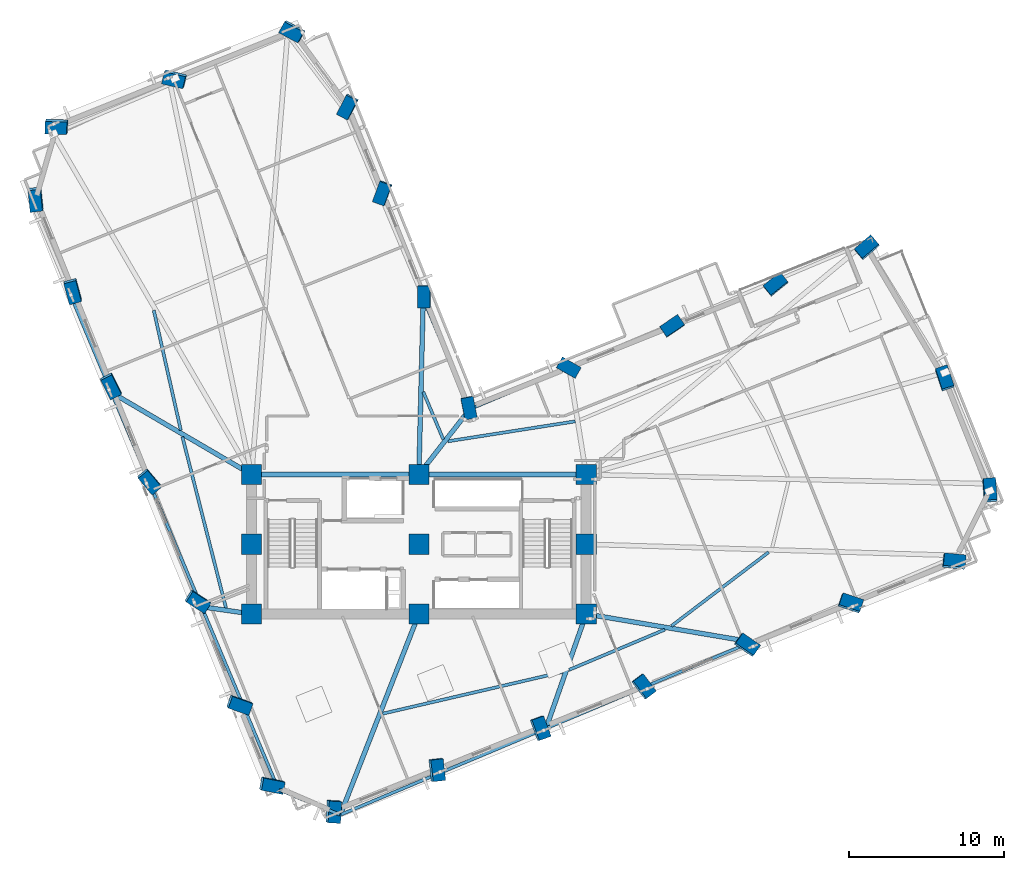
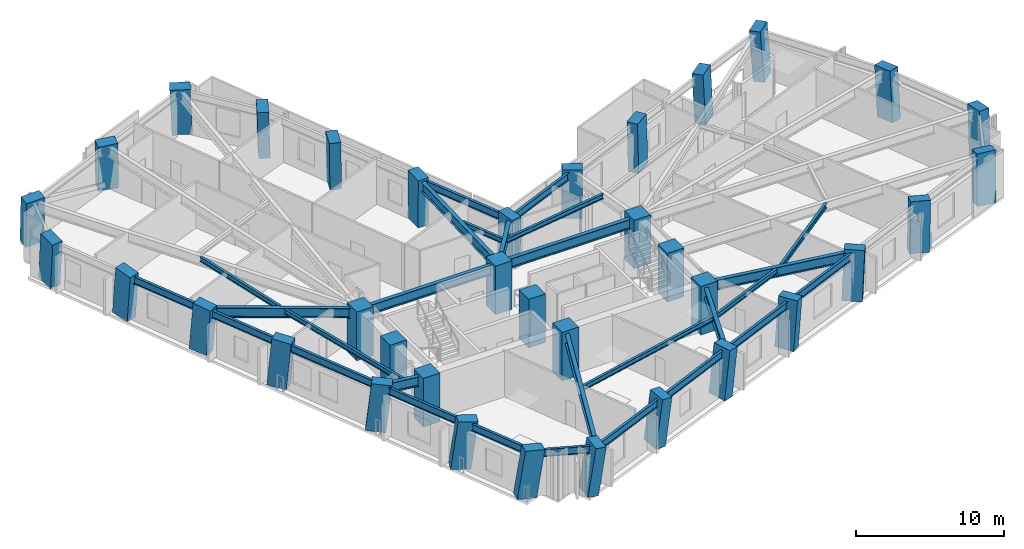
# One storey, part 1 of 16: 36 columns, 28 beams.
"""IFC4 building model written with IfcOpenShell, lengths in metres."""

from ifc_helpers import new_model, si_unit, direction, frame, origin, origin_2d, place, context, subcontext, project, spatial, rectangle, i_section, extrude, material, material_profile, profile_set, type_object, element, save


model = new_model("IFC4")

# Units and contexts
model_context = context("Model", 3, precision=1e-05, world=origin(), true_north=direction((0.0, 1.0)))
body_context = subcontext(model_context, "Body", "Model", "MODEL_VIEW")
ifc_project = project(units=[si_unit("LENGTHUNIT", "METRE"), si_unit("AREAUNIT", "SQUARE_METRE"), si_unit("VOLUMEUNIT", "CUBIC_METRE"), si_unit("PLANEANGLEUNIT", "RADIAN"), si_unit("MASSUNIT", "GRAM", prefix="KILO")], contexts=[model_context])

# Site, building, storey
site_placement = place(None, origin())
site = spatial("IfcSite", under=ifc_project, at=site_placement, CompositionType="ELEMENT")
building_placement = place(site_placement, origin())
building = spatial("IfcBuilding", under=site, at=building_placement, Name="Gaonmaruhae Medical Tower", CompositionType="ELEMENT")
storey_placement = place(building_placement, frame((0.0, 0.0, 116.39990234375)))
storey = spatial("IfcBuildingStorey", under=building, at=storey_placement, Name="L27", CompositionType="ELEMENT", Elevation=116.39990234375)

# Columns
ifc_material_1 = material(Name="Concrete C60/75", Category="concrete")
ifc_material_profile_1 = material_profile(ifc_material_1, rectangle(XDim=1.300048828125, YDim=1.300048828125, at=origin_2d()), Name="RC-1300x1300")
ifc_profile_set_1 = profile_set([ifc_material_profile_1], Name="Concrete C60/75")
column_type_1 = type_object("IfcColumnType", Name="CC-03 Zone 2 Core Column (RC-1300x1300)", PredefinedType="COLUMN", material=ifc_profile_set_1)
for number, where, z_axis, x_axis, name in (
    (1, (14.0, 7.800048828125, 0.0), (0.0, 0.0, 1.0), (1.0, 0.0, 0.0), "L27 Plumb Core Column CC11"),
    (2, (14.0, 12.300048828125, 0.0), (0.0, 0.0, 1.0), (1.0, 0.0, 0.0), "L27 Plumb Core Column CC12"),
    (3, (14.0, 16.800048828125, 0.0), (0.0, 0.0, 1.0), (1.0, 0.0, 0.0), "L27 Plumb Core Column CC13"),
    (4, (24.800048828125, 7.800048828125, 0.0), (0.0, 0.0, 1.0), (1.0, 0.0, 0.0), "L27 Plumb Core Column CC21"),
    (5, (24.800048828125, 12.300048828125, 0.0), (0.0, 0.0, 1.0), (1.0, 0.0, 0.0), "L27 Plumb Core Column CC22"),
    (6, (24.800048828125, 16.800048828125, 0.0), (0.0, 0.0, 1.0), (1.0, 0.0, 0.0), "L27 Plumb Core Column CC23"),
    (7, (35.60009765625, 7.800048828125, 0.0), (0.0, 0.0, 1.0), (1.0, 0.0, 0.0), "L27 Plumb Core Column CC31"),
    (8, (35.60009765625, 12.300048828125, 0.0), (0.0, 0.0, 1.0), (1.0, 0.0, 0.0), "L27 Plumb Core Column CC32"),
    (9, (35.60009765625, 16.800048828125, 0.0), (0.0, 0.0, 1.0), (1.0, 0.0, 0.0), "L27 Plumb Core Column CC33"),
):
    element("IfcColumn", number, at=place(storey_placement, frame(where, z_axis=z_axis, x_axis=x_axis)), inside=storey, type_object=column_type_1, Name=name, PredefinedType="COLUMN", context=body_context, shape_type="SweptSolid", body=[
        extrude(rectangle(XDim=1.300048828125, YDim=1.300048828125, at=origin_2d()), origin(), (0.0, 0.0, 1.0), 4.0),
    ])
ifc_material_profile_2 = material_profile(ifc_material_1, rectangle(XDim=1.39990234375, YDim=0.800048828125, at=origin_2d()), Name="RC-1400x800")
ifc_profile_set_2 = profile_set([ifc_material_profile_2], Name="Concrete C60/75")
column_type_2 = type_object("IfcColumnType", Name="TC-02 Mid Raking Tube Pier Column (RC-1400x800)", PredefinedType="COLUMN", material=ifc_profile_set_2)
column_1_placement = place(storey_placement, frame((19.234130859375, -4.932861328125, 0.001953125), z_axis=(0.122566982492, -0.057984774927, 0.990764906867), x_axis=(0.06360142307, 0.996698674835, 0.050463953129)))
element("IfcColumn", 10, at=column_1_placement, inside=storey, type_object=column_type_2, Name="L27 Perimeter Tube Column S01", PredefinedType="COLUMN", context=body_context, shape_type="SweptSolid", body=[
    extrude(rectangle(XDim=1.39990234375, YDim=0.800048828125, at=origin_2d()), origin(), (0.0, 0.0, 1.0), 4.03369140625),
])
column_2_placement = place(storey_placement, frame((25.916748046875, -2.253173828125, 0.001953125), z_axis=(0.111651431593, -0.030704143688, 0.993272980295), x_axis=(-0.110333945067, 0.992959759181, 0.043096835303)))
element("IfcColumn", 11, at=column_2_placement, inside=storey, type_object=column_type_2, Name="L27 Perimeter Tube Column S02", PredefinedType="COLUMN", context=body_context, shape_type="SweptSolid", body=[
    extrude(rectangle(XDim=1.39990234375, YDim=0.800048828125, at=origin_2d()), origin(), (0.0, 0.0, 1.0), 4.0234375),
])
column_3_placement = place(storey_placement, frame((32.599609375, 0.426513671875, 0.001953125), z_axis=(0.100532198644, -0.003282187864, 0.994928391533), x_axis=(-0.339806628296, 0.939749975264, 0.037435803156)))
element("IfcColumn", 12, at=column_3_placement, inside=storey, type_object=column_type_2, Name="L27 Perimeter Tube Column S03", PredefinedType="COLUMN", context=body_context, shape_type="SweptSolid", body=[
    extrude(rectangle(XDim=1.39990234375, YDim=0.800048828125, at=origin_2d()), origin(), (0.0, 0.0, 1.0), 4.0166015625),
])
column_4_placement = place(storey_placement, frame((39.2822265625, 3.1064453125, 0.001953125), z_axis=(0.089357523849, 0.024149038099, 0.995706812717), x_axis=(-0.599896462323, 0.799335620141, 0.034449976294)))
element("IfcColumn", 13, at=column_4_placement, inside=storey, type_object=column_type_2, Name="L27 Perimeter Tube Column S04", PredefinedType="COLUMN", context=body_context, shape_type="SweptSolid", body=[
    extrude(rectangle(XDim=1.39990234375, YDim=0.800048828125, at=origin_2d()), origin(), (0.0, 0.0, 1.0), 4.013671875),
])
column_5_placement = place(storey_placement, frame((45.965087890625, 5.7861328125, 0.001953125), z_axis=(0.078035956114, 0.051638758177, 0.995612288096), x_axis=(-0.821217291899, 0.569551828945, 0.034826335313)))
element("IfcColumn", 14, at=column_5_placement, inside=storey, type_object=column_type_2, Name="L27 Perimeter Tube Column S05", PredefinedType="COLUMN", context=body_context, shape_type="SweptSolid", body=[
    extrude(rectangle(XDim=1.39990234375, YDim=0.800048828125, at=origin_2d()), origin(), (0.0, 0.0, 1.0), 4.013916015625),
])
column_6_placement = place(storey_placement, frame((52.647705078125, 8.4658203125, 0.001953125), z_axis=(0.066717836338, 0.079113499919, 0.99463047633), x_axis=(-0.948183509475, 0.31537991624, 0.038516759879)))
element("IfcColumn", 15, at=column_6_placement, inside=storey, type_object=column_type_2, Name="L27 Perimeter Tube Column S06", PredefinedType="COLUMN", context=body_context, shape_type="SweptSolid", body=[
    extrude(rectangle(XDim=1.39990234375, YDim=0.800048828125, at=origin_2d()), origin(), (0.0, 0.0, 1.0), 4.017822265625),
])
column_7_placement = place(storey_placement, frame((59.33056640625, 11.1455078125, 0.001953125), z_axis=(0.055313130163, 0.106380734984, 0.992785775913), x_axis=(-0.993950581944, 0.100353737632, 0.044624746467)))
element("IfcColumn", 16, at=column_7_placement, inside=storey, type_object=column_type_2, Name="L27 Perimeter Tube Column S07", PredefinedType="COLUMN", context=body_context, shape_type="SweptSolid", body=[
    extrude(rectangle(XDim=1.39990234375, YDim=0.800048828125, at=origin_2d()), origin(), (0.0, 0.0, 1.0), 4.025390625),
])
column_8_placement = place(storey_placement, frame((61.638427734375, 15.734130859375, 0.001953125), z_axis=(0.036384047559, 0.115701271238, 0.992617457492), x_axis=(0.07866044201, -0.990524915986, 0.112574089712)))
element("IfcColumn", 17, at=column_8_placement, inside=storey, type_object=column_type_2, Name="L27 Perimeter Tube Column E01", PredefinedType="COLUMN", context=body_context, shape_type="SweptSolid", body=[
    extrude(rectangle(XDim=1.39990234375, YDim=0.800048828125, at=origin_2d()), origin(), (0.0, 0.0, 1.0), 4.026123046875),
])
column_9_placement = place(storey_placement, frame((58.7353515625, 22.973876953125, 0.001953125), z_axis=(0.006683668158, 0.103657617076, 0.994590582603), x_axis=(0.312007498998, -0.945175264526, 0.096410787244)))
element("IfcColumn", 18, at=column_9_placement, inside=storey, type_object=column_type_2, Name="L27 Perimeter Tube Column E02", PredefinedType="COLUMN", context=body_context, shape_type="SweptSolid", body=[
    extrude(rectangle(XDim=1.39990234375, YDim=0.800048828125, at=origin_2d()), origin(), (0.0, 0.0, 1.0), 4.01806640625),
])
column_10_placement = place(storey_placement, frame((53.73291015625, 31.418701171875, 0.001953125), z_axis=(-0.027994148358, 0.082887021878, 0.99616568364), x_axis=(-0.760728692831, -0.648252775362, 0.032560637873)))
element("IfcColumn", 19, at=column_10_placement, inside=storey, type_object=column_type_2, Name="L27 Perimeter Tube Column E03", PredefinedType="COLUMN", context=body_context, shape_type="SweptSolid", body=[
    extrude(rectangle(XDim=1.39990234375, YDim=0.800048828125, at=origin_2d()), origin(), (0.0, 0.0, 1.0), 4.01171875),
])
column_11_placement = place(storey_placement, frame((47.839111328125, 29.055419921875, 0.001953125), z_axis=(-0.018048809142, 0.058719605418, 0.998111340697), x_axis=(-0.778054912845, -0.627780077744, 0.022863214654)))
element("IfcColumn", 20, at=column_11_placement, inside=storey, type_object=column_type_2, Name="L27 Perimeter Tube Column EN01", PredefinedType="COLUMN", context=body_context, shape_type="SweptSolid", body=[
    extrude(rectangle(XDim=1.39990234375, YDim=0.800048828125, at=origin_2d()), origin(), (0.0, 0.0, 1.0), 4.00390625),
])
column_12_placement = place(storey_placement, frame((41.156494140625, 26.37548828125, 0.001953125), z_axis=(-0.006777640232, 0.031262628818, 0.999488224859), x_axis=(-0.828274350802, -0.560196266994, 0.011905555365)))
element("IfcColumn", 21, at=column_12_placement, inside=storey, type_object=column_type_2, Name="L27 Perimeter Tube Column EN02", PredefinedType="COLUMN", context=body_context, shape_type="SweptSolid", body=[
    extrude(rectangle(XDim=1.39990234375, YDim=0.800048828125, at=origin_2d()), origin(), (0.0, 0.0, 1.0), 3.998291015625),
])
column_13_placement = place(storey_placement, frame((34.4736328125, 23.69580078125, 0.001953125), z_axis=(0.004581752639, 0.003665402111, 0.999982786037), x_axis=(-0.870434976609, 0.492278562101, 0.002183756462)))
element("IfcColumn", 22, at=column_13_placement, inside=storey, type_object=column_type_2, Name="L27 Perimeter Tube Column EN03", PredefinedType="COLUMN", context=body_context, shape_type="SweptSolid", body=[
    extrude(rectangle(XDim=1.39990234375, YDim=0.800048828125, at=origin_2d()), origin(), (0.0, 0.0, 1.0), 3.996337890625),
])
column_14_placement = place(storey_placement, frame((28.02294921875, 21.109130859375, 0.001953125), z_axis=(0.015511177692, -0.022961428395, 0.999616014364), x_axis=(-0.188731248776, 0.981698205068, 0.025478420325)))
element("IfcColumn", 23, at=column_14_placement, inside=storey, type_object=column_type_2, Name="L27 Perimeter Tube Column KN01", PredefinedType="COLUMN", context=body_context, shape_type="SweptSolid", body=[
    extrude(rectangle(XDim=1.39990234375, YDim=0.800048828125, at=origin_2d()), origin(), (0.0, 0.0, 1.0), 3.997802734375),
])
column_15_placement = place(storey_placement, frame((25.138671875, 28.302490234375, 0.001953125), z_axis=(-0.014223979667, -0.035163142868, 0.99928035695), x_axis=(0.002786671308, 0.999376185068, 0.035206181014)))
element("IfcColumn", 24, at=column_15_placement, inside=storey, type_object=column_type_2, Name="L27 Perimeter Tube Column NE01", PredefinedType="COLUMN", context=body_context, shape_type="SweptSolid", body=[
    extrude(rectangle(XDim=1.39990234375, YDim=0.800048828125, at=origin_2d()), origin(), (0.0, 0.0, 1.0), 3.999267578125),
])
column_16_placement = place(storey_placement, frame((22.458740234375, 34.985107421875, 0.001953125), z_axis=(-0.041704903016, -0.046399753209, 0.998051984601), x_axis=(0.342446994742, 0.93775101087, 0.057905935835)))
element("IfcColumn", 25, at=column_16_placement, inside=storey, type_object=column_type_2, Name="L27 Perimeter Tube Column NE02", PredefinedType="COLUMN", context=body_context, shape_type="SweptSolid", body=[
    extrude(rectangle(XDim=1.39990234375, YDim=0.800048828125, at=origin_2d()), origin(), (0.0, 0.0, 1.0), 4.004150390625),
])
column_17_placement = place(storey_placement, frame((20.225830078125, 40.55419921875, 0.001953125), z_axis=(-0.06464168981, -0.055815847039, 0.996346346989), x_axis=(0.456711371128, 0.886076237962, 0.079269313113)))
element("IfcColumn", 26, at=column_17_placement, inside=storey, type_object=column_type_2, Name="L27 Perimeter Tube Column NE03", PredefinedType="COLUMN", context=body_context, shape_type="SweptSolid", body=[
    extrude(rectangle(XDim=1.39990234375, YDim=0.800048828125, at=origin_2d()), origin(), (0.0, 0.0, 1.0), 4.010986328125),
])
column_18_placement = place(storey_placement, frame((16.65625, 45.425537109375, 0.001953125), z_axis=(-0.084401583793, -0.070496574665, 0.993934910149), x_axis=(0.878913471383, -0.475222028152, 0.040928398225)))
element("IfcColumn", 27, at=column_18_placement, inside=storey, type_object=column_type_2, Name="L27 Perimeter Tube Column N01", PredefinedType="COLUMN", context=body_context, shape_type="SweptSolid", body=[
    extrude(rectangle(XDim=1.39990234375, YDim=0.800048828125, at=origin_2d()), origin(), (0.0, 0.0, 1.0), 4.020751953125),
])
column_19_placement = place(storey_placement, frame((9.04541015625, 42.37353515625, 0.001953125), z_axis=(-0.071468567795, -0.101595690945, 0.992255289428), x_axis=(0.971621225937, -0.231980521435, 0.04623019558)))
element("IfcColumn", 28, at=column_19_placement, inside=storey, type_object=column_type_2, Name="L27 Perimeter Tube Column N02", PredefinedType="COLUMN", context=body_context, shape_type="SweptSolid", body=[
    extrude(rectangle(XDim=1.39990234375, YDim=0.800048828125, at=origin_2d()), origin(), (0.0, 0.0, 1.0), 4.027587890625),
])
column_20_placement = place(storey_placement, frame((1.434326171875, 39.32177734375, 0.001953125), z_axis=(-0.058452778116, -0.132440575855, 0.989465899664), x_axis=(0.997829351184, -0.037863766631, 0.0538787629)))
element("IfcColumn", 29, at=column_20_placement, inside=storey, type_object=column_type_2, Name="L27 Perimeter Tube Column N03", PredefinedType="COLUMN", context=body_context, shape_type="SweptSolid", body=[
    extrude(rectangle(XDim=1.39990234375, YDim=0.800048828125, at=origin_2d()), origin(), (0.0, 0.0, 1.0), 4.038818359375),
])
column_21_placement = place(storey_placement, frame((0.082763671875, 34.6318359375, 0.001953125), z_axis=(-0.039178405028, -0.137849943616, 0.989677950459), x_axis=(-0.106874967089, 0.985334956087, 0.1330141561)))
element("IfcColumn", 30, at=column_21_placement, inside=storey, type_object=column_type_2, Name="L27 Perimeter Tube Column W01", PredefinedType="COLUMN", context=body_context, shape_type="SweptSolid", body=[
    extrude(rectangle(XDim=1.39990234375, YDim=0.800048828125, at=origin_2d()), origin(), (0.0, 0.0, 1.0), 4.0380859375),
])
column_22_placement = place(storey_placement, frame((2.46484375, 28.691650390625, 0.001953125), z_axis=(-0.014963421755, -0.128128085071, 0.991644739726), x_axis=(-0.262901665614, 0.957364620069, 0.119731777142)))
element("IfcColumn", 31, at=column_22_placement, inside=storey, type_object=column_type_2, Name="L27 Perimeter Tube Column W02", PredefinedType="COLUMN", context=body_context, shape_type="SweptSolid", body=[
    extrude(rectangle(XDim=1.39990234375, YDim=0.800048828125, at=origin_2d()), origin(), (0.0, 0.0, 1.0), 4.030029296875),
])
column_23_placement = place(storey_placement, frame((4.921142578125, 22.565673828125, 0.001953125), z_axis=(0.010191079334, -0.117986007762, 0.992962961985), x_axis=(-0.450108088675, 0.886183267608, 0.109917808931)))
element("IfcColumn", 32, at=column_23_placement, inside=storey, type_object=column_type_2, Name="L27 Perimeter Tube Column W03", PredefinedType="COLUMN", context=body_context, shape_type="SweptSolid", body=[
    extrude(rectangle(XDim=1.39990234375, YDim=0.800048828125, at=origin_2d()), origin(), (0.0, 0.0, 1.0), 4.024658203125),
])
column_24_placement = place(storey_placement, frame((7.396240234375, 16.3935546875, 0.001953125), z_axis=(0.035507833365, -0.107676745966, 0.993551665565), x_axis=(-0.642258011043, 0.759230004832, 0.105235198548)))
element("IfcColumn", 33, at=column_24_placement, inside=storey, type_object=column_type_2, Name="L27 Perimeter Tube Column W04", PredefinedType="COLUMN", context=body_context, shape_type="SweptSolid", body=[
    extrude(rectangle(XDim=1.39990234375, YDim=0.800048828125, at=origin_2d()), origin(), (0.0, 0.0, 1.0), 4.022216796875),
])
column_25_placement = place(storey_placement, frame((10.504150390625, 8.643310546875, 0.001953125), z_axis=(0.067292325848, -0.094536919452, 0.993244438063), x_axis=(-0.837814695487, 0.535225411219, 0.107704666624)))
element("IfcColumn", 34, at=column_25_placement, inside=storey, type_object=column_type_2, Name="L27 Perimeter Tube Column W05", PredefinedType="COLUMN", context=body_context, shape_type="SweptSolid", body=[
    extrude(rectangle(XDim=1.39990234375, YDim=0.800048828125, at=origin_2d()), origin(), (0.0, 0.0, 1.0), 4.0234375),
])
column_26_placement = place(storey_placement, frame((13.183837890625, 1.96044921875, 0.001953125), z_axis=(0.094603755743, -0.083149489352, 0.99203643674), x_axis=(-0.937304977557, 0.328318526805, 0.116903053867)))
element("IfcColumn", 35, at=column_26_placement, inside=storey, type_object=column_type_2, Name="L27 Perimeter Tube Column W06", PredefinedType="COLUMN", context=body_context, shape_type="SweptSolid", body=[
    extrude(rectangle(XDim=1.39990234375, YDim=0.800048828125, at=origin_2d()), origin(), (0.0, 0.0, 1.0), 4.0283203125),
])
column_27_placement = place(storey_placement, frame((15.26806640625, -3.237060546875, 0.001953125), z_axis=(0.115696644975, -0.074307259429, 0.990501245601), x_axis=(-0.974669078482, 0.183662391907, 0.127625676298)))
element("IfcColumn", 36, at=column_27_placement, inside=storey, type_object=column_type_2, Name="L27 Perimeter Tube Column W07", PredefinedType="COLUMN", context=body_context, shape_type="SweptSolid", body=[
    extrude(rectangle(XDim=1.39990234375, YDim=0.800048828125, at=origin_2d()), origin(), (0.0, 0.0, 1.0), 4.03466796875),
])

# Beams
ifc_material_2 = material(Name="Steel SM355", Category="steel")
ifc_material_profile_3 = material_profile(ifc_material_2, i_section(OverallWidth=0.199951171875, OverallDepth=0.39990234375, WebThickness=0.008056640625, FlangeThickness=0.012939453125, FilletRadius=0.012939453125, at=origin_2d()), Name="H-400x200x8x13")
ifc_profile_set_3 = profile_set([ifc_material_profile_3], Name="Steel SM355")
beam_type_1 = type_object("IfcBeamType", Name="FJ-01 Lower Zone Ward Floor Joist (H-400x200x8x13)", PredefinedType="JOIST", material=ifc_profile_set_3)
beam_1_placement = place(storey_placement, frame((22.447265625, 1.35888671875, 3.580078125), z_axis=(0.974172384193, 0.225805593099, 0.0), x_axis=(-0.225805593099, 0.974172384193, 0.0)))
element("IfcBeam", 37, at=beam_1_placement, inside=storey, type_object=beam_type_1, Name="L27 Secondary Floor Joist FJ01", PredefinedType="JOIST", context=body_context, shape_type="SweptSolid", body=[
    extrude(i_section(OverallWidth=0.199951171875, OverallDepth=0.39990234375, WebThickness=0.008056640625, FlangeThickness=0.012939453125, FilletRadius=0.012939453125, at=origin_2d()), origin(), (0.0, 0.0, 1.0), 11.985107421875),
])
beam_2_placement = place(storey_placement, frame((34.493896484375, 4.1875, 3.580078125), z_axis=(0.921857271842, 0.387529573519, 0.0), x_axis=(-0.387529573519, 0.921857271842, 0.0)))
element("IfcBeam", 38, at=beam_2_placement, inside=storey, type_object=beam_type_1, Name="L27 Secondary Floor Joist FJ02", PredefinedType="JOIST", context=body_context, shape_type="SweptSolid", body=[
    extrude(i_section(OverallWidth=0.199951171875, OverallDepth=0.39990234375, WebThickness=0.008056640625, FlangeThickness=0.012939453125, FilletRadius=0.012939453125, at=origin_2d()), origin(), (0.0, 0.0, 1.0), 6.70556640625),
])
beam_3_placement = place(storey_placement, frame((41.10791015625, 7.02490234375, 3.580078125), z_axis=(0.796408170889, 0.604759477264, 0.0), x_axis=(-0.604759477264, 0.796408170889, 0.0)))
element("IfcBeam", 39, at=beam_3_placement, inside=storey, type_object=beam_type_1, Name="L27 Secondary Floor Joist FJ03", PredefinedType="JOIST", context=body_context, shape_type="SweptSolid", body=[
    extrude(i_section(OverallWidth=0.199951171875, OverallDepth=0.39990234375, WebThickness=0.008056640625, FlangeThickness=0.012939453125, FilletRadius=0.012939453125, at=origin_2d()), origin(), (0.0, 0.0, 1.0), 7.877685546875),
])
beam_4_placement = place(storey_placement, frame((34.891845703125, 20.231201171875, 3.580078125), z_axis=(-0.987967972908, -0.154658606318, 0.0), x_axis=(0.154658606318, -0.987967972908, 0.0)))
element("IfcBeam", 40, at=beam_4_placement, inside=storey, type_object=beam_type_1, Name="L27 Secondary Floor Joist FJ08", PredefinedType="JOIST", context=body_context, shape_type="SweptSolid", body=[
    extrude(i_section(OverallWidth=0.199951171875, OverallDepth=0.39990234375, WebThickness=0.008056640625, FlangeThickness=0.012939453125, FilletRadius=0.012939453125, at=origin_2d()), origin(), (0.0, 0.0, 1.0), 8.326904296875),
])
beam_5_placement = place(storey_placement, frame((26.37353515625, 19.07275390625, 3.580078125), z_axis=(-0.387512067628, 0.921864630758, 0.0), x_axis=(-0.921864630758, -0.387512067628, 0.0)))
element("IfcBeam", 41, at=beam_5_placement, inside=storey, type_object=beam_type_1, Name="L27 Secondary Floor Joist FJ09", PredefinedType="JOIST", context=body_context, shape_type="SweptSolid", body=[
    extrude(i_section(OverallWidth=0.199951171875, OverallDepth=0.39990234375, WebThickness=0.008056640625, FlangeThickness=0.012939453125, FilletRadius=0.012939453125, at=origin_2d()), origin(), (0.0, 0.0, 1.0), 3.3251953125),
])
beam_6_placement = place(storey_placement, frame((7.687255859375, 27.40234375, 3.580078125), z_axis=(0.219912851779, -0.975519521907, 0.0), x_axis=(0.975519521907, 0.219912851779, 0.0)))
element("IfcBeam", 42, at=beam_6_placement, inside=storey, type_object=beam_type_1, Name="L27 Secondary Floor Joist FJ13", PredefinedType="JOIST", context=body_context, shape_type="SweptSolid", body=[
    extrude(i_section(OverallWidth=0.199951171875, OverallDepth=0.39990234375, WebThickness=0.008056640625, FlangeThickness=0.012939453125, FilletRadius=0.012939453125, at=origin_2d()), origin(), (0.0, 0.0, 1.0), 7.945556640625),
])
beam_7_placement = place(storey_placement, frame((9.53466796875, 19.2353515625, 3.580078125), z_axis=(0.246753559156, -0.969078263632, 0.0), x_axis=(0.969078263632, 0.246753559156, 0.0)))
element("IfcBeam", 43, at=beam_7_placement, inside=storey, type_object=beam_type_1, Name="L27 Secondary Floor Joist FJ14", PredefinedType="JOIST", context=body_context, shape_type="SweptSolid", body=[
    extrude(i_section(OverallWidth=0.199951171875, OverallDepth=0.39990234375, WebThickness=0.008056640625, FlangeThickness=0.012939453125, FilletRadius=0.012939453125, at=origin_2d()), origin(), (0.0, 0.0, 1.0), 11.39306640625),
])
ifc_material_3 = material(Name="Steel SM420", Category="steel")
ifc_material_profile_4 = material_profile(ifc_material_3, i_section(OverallWidth=0.300048828125, OverallDepth=0.800048828125, WebThickness=0.013916015625, FlangeThickness=0.02587890625, FilletRadius=0.01806640625, at=origin_2d()), Name="H-800x300x14x26")
ifc_profile_set_4 = profile_set([ifc_material_profile_4], Name="Steel SM420")
beam_type_2 = type_object("IfcBeamType", Name="PG-02 Zone 2 Radial Floor Girder (H-800x300x14x26)", PredefinedType="BEAM", material=ifc_profile_set_4)
for number, where, z_axis, x_axis, name in (
    (44, (14.050048828125, 16.800048828125, 3.380126953125), (1.0, 0.0, 0.0), (0.0, 1.0, 0.0), "L27 Beam BM-L27-CG-N1"),
    (45, (24.85009765625, 16.800048828125, 3.380126953125), (1.0, 0.0, 0.0), (0.0, 1.0, 0.0), "L27 Beam BM-L27-CG-N2"),
):
    element("IfcBeam", number, at=place(storey_placement, frame(where, z_axis=z_axis, x_axis=x_axis)), inside=storey, type_object=beam_type_2, Name=name, PredefinedType="BEAM", context=body_context, shape_type="SweptSolid", body=[
        extrude(i_section(OverallWidth=0.300048828125, OverallDepth=0.800048828125, WebThickness=0.013916015625, FlangeThickness=0.02587890625, FilletRadius=0.01806640625, at=origin_2d()), origin(), (0.0, 0.0, 1.0), 10.699951171875),
    ])
beam_8_placement = place(storey_placement, frame((24.78173828125, 7.75341796875, 3.380126953125), z_axis=(-0.364217542957, -0.931313900574, 0.0), x_axis=(0.931313900574, -0.364217542957, 0.0)))
element("IfcBeam", 46, at=beam_8_placement, inside=storey, type_object=beam_type_2, Name="L27 Radial Primary Girder S01", PredefinedType="BEAM", context=body_context, shape_type="SweptSolid", body=[
    extrude(i_section(OverallWidth=0.300048828125, OverallDepth=0.800048828125, WebThickness=0.013916015625, FlangeThickness=0.02587890625, FilletRadius=0.01806640625, at=origin_2d()), origin(), (0.0, 0.0, 1.0), 13.8232421875),
])
beam_9_placement = place(storey_placement, frame((35.58349609375, 7.7529296875, 3.380126953125), z_axis=(-0.331602246079, -0.943419286635, 0.0), x_axis=(0.943419286635, -0.331602246079, 0.0)))
element("IfcBeam", 47, at=beam_9_placement, inside=storey, type_object=beam_type_2, Name="L27 Radial Primary Girder S03", PredefinedType="BEAM", context=body_context, shape_type="SweptSolid", body=[
    extrude(i_section(OverallWidth=0.300048828125, OverallDepth=0.800048828125, WebThickness=0.013916015625, FlangeThickness=0.02587890625, FilletRadius=0.01806640625, at=origin_2d()), origin(), (0.0, 0.0, 1.0), 7.729736328125),
])
beam_10_placement = place(storey_placement, frame((35.6494140625, 7.791748046875, 3.380126953125), z_axis=(0.985990040776, -0.166804195065, 0.0), x_axis=(0.166804195065, 0.985990040776, 0.0)))
element("IfcBeam", 48, at=beam_10_placement, inside=storey, type_object=beam_type_2, Name="L27 Radial Primary Girder S05", PredefinedType="BEAM", context=body_context, shape_type="SweptSolid", body=[
    extrude(i_section(OverallWidth=0.300048828125, OverallDepth=0.800048828125, WebThickness=0.013916015625, FlangeThickness=0.02587890625, FilletRadius=0.01806640625, at=origin_2d()), origin(), (0.0, 0.0, 1.0), 10.72998046875),
])
beam_11_placement = place(storey_placement, frame((24.830810546875, 16.83935546875, 3.380126953125), z_axis=(0.614488224062, 0.788925993037, 0.0), x_axis=(-0.788925993037, 0.614488224062, 0.0)))
element("IfcBeam", 49, at=beam_11_placement, inside=storey, type_object=beam_type_2, Name="L27 Radial Primary Girder KN01", PredefinedType="BEAM", context=body_context, shape_type="SweptSolid", body=[
    extrude(i_section(OverallWidth=0.300048828125, OverallDepth=0.800048828125, WebThickness=0.013916015625, FlangeThickness=0.02587890625, FilletRadius=0.01806640625, at=origin_2d()), origin(), (0.0, 0.0, 1.0), 5.24560546875),
])
beam_12_placement = place(storey_placement, frame((24.80126953125, 16.85009765625, 3.380126953125), z_axis=(0.024792931486, 0.999692608029, 0.0), x_axis=(-0.999692608029, 0.024792931486, 0.0)))
element("IfcBeam", 50, at=beam_12_placement, inside=storey, type_object=beam_type_2, Name="L27 Radial Primary Girder NE01", PredefinedType="BEAM", context=body_context, shape_type="SweptSolid", body=[
    extrude(i_section(OverallWidth=0.300048828125, OverallDepth=0.800048828125, WebThickness=0.013916015625, FlangeThickness=0.02587890625, FilletRadius=0.01806640625, at=origin_2d()), origin(), (0.0, 0.0, 1.0), 11.26513671875),
])
beam_13_placement = place(storey_placement, frame((13.956787109375, 16.8251953125, 3.380126953125), z_axis=(-0.862998450556, 0.505206566009, 0.0), x_axis=(-0.505206566009, -0.862998450556, 0.0)))
element("IfcBeam", 51, at=beam_13_placement, inside=storey, type_object=beam_type_2, Name="L27 Radial Primary Girder W03", PredefinedType="BEAM", context=body_context, shape_type="SweptSolid", body=[
    extrude(i_section(OverallWidth=0.300048828125, OverallDepth=0.800048828125, WebThickness=0.013916015625, FlangeThickness=0.02587890625, FilletRadius=0.01806640625, at=origin_2d()), origin(), (0.0, 0.0, 1.0), 10.37255859375),
])
beam_14_placement = place(storey_placement, frame((13.950439453125, 7.80712890625, 3.380126953125), z_axis=(-0.989864274798, 0.142016609872, 0.0), x_axis=(-0.142016609872, -0.989864274798, 0.0)))
element("IfcBeam", 52, at=beam_14_placement, inside=storey, type_object=beam_type_2, Name="L27 Radial Primary Girder W05", PredefinedType="BEAM", context=body_context, shape_type="SweptSolid", body=[
    extrude(i_section(OverallWidth=0.300048828125, OverallDepth=0.800048828125, WebThickness=0.013916015625, FlangeThickness=0.02587890625, FilletRadius=0.01806640625, at=origin_2d()), origin(), (0.0, 0.0, 1.0), 3.157958984375),
])
ifc_material_profile_5 = material_profile(ifc_material_2, i_section(OverallWidth=0.199951171875, OverallDepth=0.60009765625, WebThickness=0.010986328125, FlangeThickness=0.01708984375, FilletRadius=0.012939453125, at=origin_2d()), Name="H-600x200x11x17")
ifc_profile_set_5 = profile_set([ifc_material_profile_5], Name="Steel SM355")
beam_type_3 = type_object("IfcBeamType", Name="SP-01 Lower Perimeter Spandrel Beam (H-600x200x11x17)", PredefinedType="SPANDREL", material=ifc_profile_set_5)
for number, where, z_axis, x_axis, name in (
    (53, (19.765625, -5.1513671875, 3.47998046875), (0.921868214975, 0.387503540912, 0.0), (-0.387503540912, 0.921868214975, 0.0), "L27 Perimeter Spandrel Beam S01-S02"),
    (54, (26.403076171875, -2.361328125, 3.47998046875), (0.921855965601, 0.387532680797, 0.0), (-0.387532680797, 0.921855965601, 0.0), "L27 Perimeter Spandrel Beam S02-S03"),
    (55, (33.04052734375, 0.428955078125, 3.47998046875), (0.921868214975, 0.387503540912, 0.0), (-0.387503540912, 0.921868214975, 0.0), "L27 Perimeter Spandrel Beam S03-S04"),
):
    element("IfcBeam", number, at=place(storey_placement, frame(where, z_axis=z_axis, x_axis=x_axis)), inside=storey, type_object=beam_type_3, Name=name, PredefinedType="SPANDREL", context=body_context, shape_type="SweptSolid", body=[
        extrude(i_section(OverallWidth=0.199951171875, OverallDepth=0.60009765625, WebThickness=0.010986328125, FlangeThickness=0.01708984375, FilletRadius=0.012939453125, at=origin_2d()), origin(), (0.0, 0.0, 1.0), 7.1201171875),
    ])
beam_15_placement = place(storey_placement, frame((39.677978515625, 3.218994140625, 3.47998046875), z_axis=(0.921863065881, 0.387515790341, 0.0), x_axis=(-0.387515790341, 0.921863065881, 0.0)))
element("IfcBeam", 56, at=beam_15_placement, inside=storey, type_object=beam_type_3, Name="L27 Perimeter Spandrel Beam S04-S05", PredefinedType="SPANDREL", context=body_context, shape_type="SweptSolid", body=[
    extrude(i_section(OverallWidth=0.199951171875, OverallDepth=0.60009765625, WebThickness=0.010986328125, FlangeThickness=0.01708984375, FilletRadius=0.012939453125, at=origin_2d()), origin(), (0.0, 0.0, 1.0), 7.119873046875),
])
beam_16_placement = place(storey_placement, frame((34.455078125, 23.695068359375, 3.47998046875), z_axis=(-0.921857975803, -0.387527898929, 0.0), x_axis=(0.387527898929, -0.921857975803, 0.0)))
element("IfcBeam", 57, at=beam_16_placement, inside=storey, type_object=beam_type_3, Name="L27 Perimeter Spandrel Beam EN03-KN01", PredefinedType="SPANDREL", context=body_context, shape_type="SweptSolid", body=[
    extrude(i_section(OverallWidth=0.199951171875, OverallDepth=0.60009765625, WebThickness=0.010986328125, FlangeThickness=0.01708984375, FilletRadius=0.012939453125, at=origin_2d()), origin(), (0.0, 0.0, 1.0), 6.8701171875),
])
beam_17_placement = place(storey_placement, frame((28.0693359375, 21.05419921875, 3.47998046875), z_axis=(-0.387513330135, 0.921864100053, 0.0), x_axis=(-0.921864100053, -0.387513330135, 0.0)))
element("IfcBeam", 58, at=beam_17_placement, inside=storey, type_object=beam_type_3, Name="L27 Perimeter Spandrel Beam KN01-NE01", PredefinedType="SPANDREL", context=body_context, shape_type="SweptSolid", body=[
    extrude(i_section(OverallWidth=0.199951171875, OverallDepth=0.60009765625, WebThickness=0.010986328125, FlangeThickness=0.01708984375, FilletRadius=0.012939453125, at=origin_2d()), origin(), (0.0, 0.0, 1.0), 7.669921875),
])
beam_18_placement = place(storey_placement, frame((2.420166015625, 28.13818359375, 3.47998046875), z_axis=(0.387519574562, -0.921861475131, 0.0), x_axis=(0.921861475131, 0.387519574562, 0.0)))
element("IfcBeam", 59, at=beam_18_placement, inside=storey, type_object=beam_type_3, Name="L27 Perimeter Spandrel Beam W02-W03", PredefinedType="SPANDREL", context=body_context, shape_type="SweptSolid", body=[
    extrude(i_section(OverallWidth=0.199951171875, OverallDepth=0.60009765625, WebThickness=0.010986328125, FlangeThickness=0.01708984375, FilletRadius=0.012939453125, at=origin_2d()), origin(), (0.0, 0.0, 1.0), 6.52001953125),
])
beam_19_placement = place(storey_placement, frame((4.977783203125, 22.053955078125, 3.47998046875), z_axis=(0.387505387444, -0.92186743879, 0.0), x_axis=(0.92186743879, 0.387505387444, 0.0)))
element("IfcBeam", 60, at=beam_19_placement, inside=storey, type_object=beam_type_3, Name="L27 Perimeter Spandrel Beam W03-W04", PredefinedType="SPANDREL", context=body_context, shape_type="SweptSolid", body=[
    extrude(i_section(OverallWidth=0.199951171875, OverallDepth=0.60009765625, WebThickness=0.010986328125, FlangeThickness=0.01708984375, FilletRadius=0.012939453125, at=origin_2d()), origin(), (0.0, 0.0, 1.0), 6.570068359375),
])
beam_20_placement = place(storey_placement, frame((7.5546875, 15.92333984375, 3.47998046875), z_axis=(0.387525067231, -0.921859166179, 0.0), x_axis=(0.921859166179, 0.387525067231, 0.0)))
element("IfcBeam", 61, at=beam_20_placement, inside=storey, type_object=beam_type_3, Name="L27 Perimeter Spandrel Beam W04-W05", PredefinedType="SPANDREL", context=body_context, shape_type="SweptSolid", body=[
    extrude(i_section(OverallWidth=0.199951171875, OverallDepth=0.60009765625, WebThickness=0.010986328125, FlangeThickness=0.01708984375, FilletRadius=0.012939453125, at=origin_2d()), origin(), (0.0, 0.0, 1.0), 8.27001953125),
])
beam_21_placement = place(storey_placement, frame((10.79052734375, 8.225830078125, 3.47998046875), z_axis=(0.387515790341, -0.921863065881, 0.0), x_axis=(0.921863065881, 0.387515790341, 0.0)))
element("IfcBeam", 62, at=beam_21_placement, inside=storey, type_object=beam_type_3, Name="L27 Perimeter Spandrel Beam W05-W06", PredefinedType="SPANDREL", context=body_context, shape_type="SweptSolid", body=[
    extrude(i_section(OverallWidth=0.199951171875, OverallDepth=0.60009765625, WebThickness=0.010986328125, FlangeThickness=0.01708984375, FilletRadius=0.012939453125, at=origin_2d()), origin(), (0.0, 0.0, 1.0), 7.119873046875),
])
beam_22_placement = place(storey_placement, frame((13.58056640625, 1.58837890625, 3.47998046875), z_axis=(0.387530980781, -0.921856680257, 0.0), x_axis=(0.921856680257, 0.387530980781, 0.0)))
element("IfcBeam", 63, at=beam_22_placement, inside=storey, type_object=beam_type_3, Name="L27 Perimeter Spandrel Beam W06-W07", PredefinedType="SPANDREL", context=body_context, shape_type="SweptSolid", body=[
    extrude(i_section(OverallWidth=0.199951171875, OverallDepth=0.60009765625, WebThickness=0.010986328125, FlangeThickness=0.01708984375, FilletRadius=0.012939453125, at=origin_2d()), origin(), (0.0, 0.0, 1.0), 5.52001953125),
])
beam_23_placement = place(storey_placement, frame((15.772216796875, -3.55224609375, 3.47998046875), z_axis=(0.925880996077, -0.377815273782, 0.0), x_axis=(0.377815273782, 0.925880996077, 0.0)))
element("IfcBeam", 64, at=beam_23_placement, inside=storey, type_object=beam_type_3, Name="L27 Perimeter Spandrel Beam W07-S01", PredefinedType="SPANDREL", context=body_context, shape_type="SweptSolid", body=[
    extrude(i_section(OverallWidth=0.199951171875, OverallDepth=0.60009765625, WebThickness=0.010986328125, FlangeThickness=0.01708984375, FilletRadius=0.012939453125, at=origin_2d()), origin(), (0.0, 0.0, 1.0), 4.233154296875),
])

save(model, "model.ifc")
